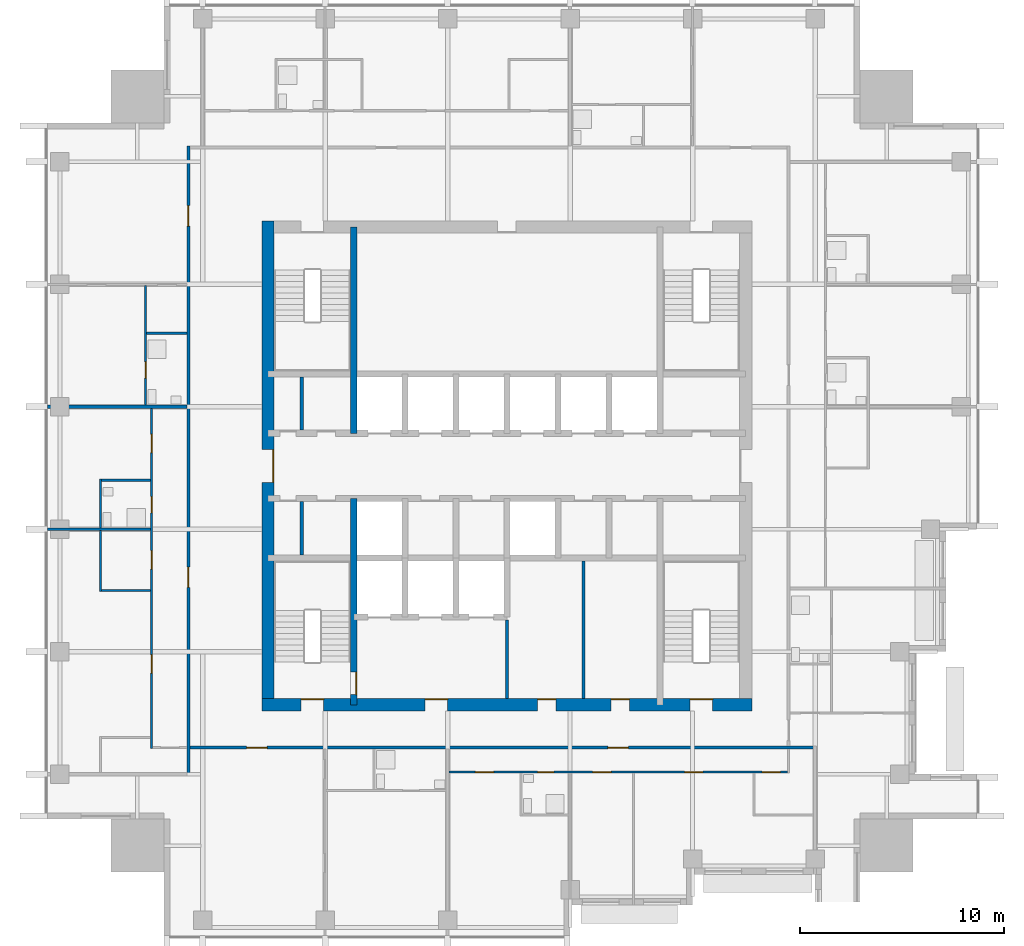
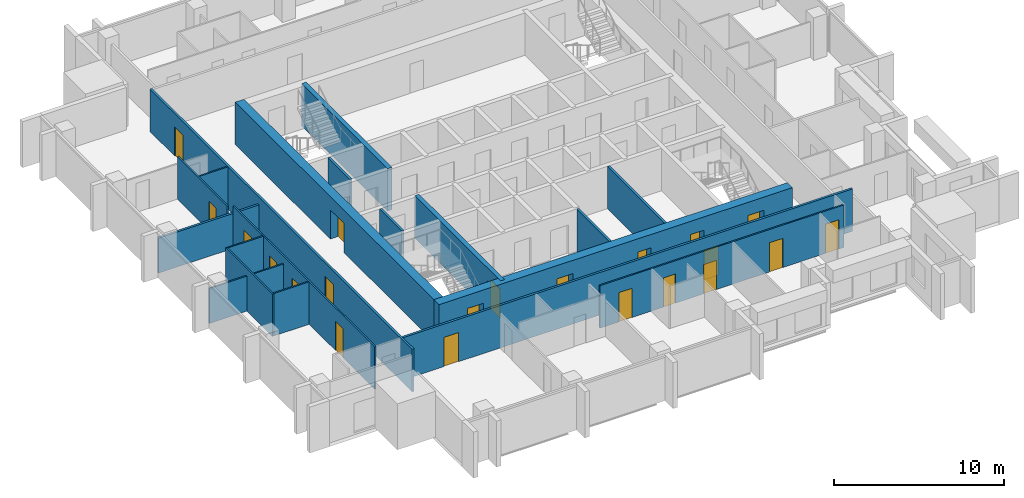
# One storey, part 4 of 10: 21 doors, 19 walls, 21 openings.
"""IFC4 building model written with IfcOpenShell, lengths in metres."""

from ifc_helpers import new_model, si_unit, direction, frame, frame_2d, origin, place, context, subcontext, project, spatial, rectangle, extrude, material, layer, layer_set, type_object, element, fill, save


model = new_model("IFC4")

# Units and contexts
model_context = context("Model", 3, precision=1e-05, world=origin(), true_north=direction((0.0, 1.0)))
body_context = subcontext(model_context, "Body", "Model", "MODEL_VIEW")
ifc_project = project(units=[si_unit("LENGTHUNIT", "METRE"), si_unit("AREAUNIT", "SQUARE_METRE"), si_unit("VOLUMEUNIT", "CUBIC_METRE"), si_unit("PLANEANGLEUNIT", "RADIAN"), si_unit("MASSUNIT", "GRAM", prefix="KILO")], contexts=[model_context])

# Site, building, storey
site_placement = place(None, origin())
site = spatial("IfcSite", under=ifc_project, at=site_placement, CompositionType="ELEMENT")
building_placement = place(site_placement, origin())
building = spatial("IfcBuilding", under=site, at=building_placement, Name="Amberfall Residences", CompositionType="ELEMENT")
storey_placement = place(building_placement, frame((0.0, 0.0, 193.60009765625)))
storey = spatial("IfcBuildingStorey", under=building, at=storey_placement, Name="L51", CompositionType="ELEMENT", Elevation=193.60009765625)

# Wall, opening, door
ifc_material_1 = material(Name="Concrete C55", Category="concrete")
ifc_layer_1 = layer(ifc_material_1, 0.300048828125)
ifc_layer_set_1 = layer_set([ifc_layer_1], Name="Core wall 300 C55")
wall_type_1 = type_object("IfcWallType", Name="Core wall 300 C55", PredefinedType="SHEAR", material=ifc_layer_set_1)
wall_1_placement = place(storey_placement, frame((67.0, 33.800048828125, 0.0), z_axis=(0.0, 0.0, 1.0), x_axis=(0.0, 1.0, 0.0)))
wall_1 = element("IfcWall", 1, at=wall_1_placement, inside=storey, type_object=wall_type_1, Name="Core wall RW8 L51 V45S", PredefinedType="SHEAR", context=body_context, shape_type="SweptSolid", body=[
    extrude(rectangle(XDim=10.099853515625, YDim=0.300048828125, at=frame_2d((5.0498046875, 0.0))), origin(), (0.0, 0.0, 1.0), 3.0498046875),
])
opening_1_placement = place(wall_1_placement, frame((0.5, 0.0, 0.0)))
opening_1 = element("IfcOpeningElement", 2, at=opening_1_placement, cuts=wall_1, Name="Opening FL1", PredefinedType="OPENING", context=body_context, shape_type="SweptSolid", body=[
    extrude(rectangle(XDim=1.10009765625, YDim=2.10009765625, at=frame_2d((0.550048828125, 1.050048828125))), frame((0.0, 0.159912109375, 0.0), z_axis=(0.0, -1.0, 0.0), x_axis=(1.0, 0.0, 0.0)), (0.0, 0.0, 1.0), 0.320068359375),
])
ifc_material_2 = material(Name="Steel fire door set", Category="steel")
door_type_1 = type_object("IfcDoorType", Name="Firefighting lobby door 1100 x 2100", OperationType="SINGLE_SWING_LEFT", PredefinedType="DOOR", material=ifc_material_2)
door_1_placement = place(opening_1_placement, origin())
door_1 = element("IfcDoor", 3, at=door_1_placement, inside=storey, type_object=door_type_1, Name="FL1 L51", OperationType="SINGLE_SWING_RIGHT", OverallHeight=2.10009765625, OverallWidth=1.10009765625, PredefinedType="DOOR", context=body_context, shape_type="SweptSolid", body=[
    extrude(rectangle(XDim=1.10009765625, YDim=2.10009765625, at=frame_2d((0.550048828125, 1.050048828125))), frame((0.0, -0.08740234375, 0.0), z_axis=(0.0, -1.0, 0.0), x_axis=(1.0, 0.0, 0.0)), (0.0, 0.0, 1.0), 0.050048828125),
])
fill(opening_1, door_1)

# Wall
wall_2_placement = place(storey_placement, frame((67.0, 47.10009765625, 0.0), z_axis=(0.0, 0.0, 1.0), x_axis=(0.0, 1.0, 0.0)))
element("IfcWall", 4, at=wall_2_placement, inside=storey, type_object=wall_type_1, Name="Core wall RW8 L51 V45N", PredefinedType="SHEAR", context=body_context, shape_type="SweptSolid", body=[
    extrude(rectangle(XDim=10.099853515625, YDim=0.300048828125, at=frame_2d((5.0498046875, 0.0))), origin(), (0.0, 0.0, 1.0), 3.0498046875),
])

# Wall, openings, doors
ifc_layer_2 = layer(ifc_material_1, 0.60009765625)
ifc_layer_set_2 = layer_set([ifc_layer_2], Name="Core wall 600 C55")
wall_type_2 = type_object("IfcWallType", Name="Core wall 600 C55", PredefinedType="SHEAR", material=ifc_layer_set_2)
wall_3_placement = place(storey_placement, frame((62.5, 33.800048828125, 0.0), z_axis=(0.0, 0.0, 1.0), x_axis=(1.0, 0.0, 0.0)))
wall_3 = element("IfcWall", 5, at=wall_3_placement, inside=storey, type_object=wall_type_2, Name="Core wall RW7 L51 OS", PredefinedType="SHEAR", context=body_context, shape_type="SweptSolid", body=[
    extrude(rectangle(XDim=24.0, YDim=0.60009765625, at=frame_2d((12.0, 0.0))), origin(), (0.0, 0.0, 1.0), 3.0498046875),
])
opening_2_placement = place(wall_3_placement, frame((1.925048828125, 0.0, 0.0)))
opening_2 = element("IfcOpeningElement", 6, at=opening_2_placement, cuts=wall_3, Name="Opening SD1", PredefinedType="OPENING", context=body_context, shape_type="SweptSolid", body=[
    extrude(rectangle(XDim=1.10009765625, YDim=2.10009765625, at=frame_2d((0.550048828125, 1.050048828125))), frame((0.0, 0.31005859375, 0.0), z_axis=(0.0, -1.0, 0.0), x_axis=(1.0, 0.0, 0.0)), (0.0, 0.0, 1.0), 0.6201171875),
])
opening_3_placement = place(wall_3_placement, frame((20.97509765625, 0.0, 0.0)))
opening_3 = element("IfcOpeningElement", 7, at=opening_3_placement, cuts=wall_3, Name="Opening SD1", PredefinedType="OPENING", context=body_context, shape_type="SweptSolid", body=[
    extrude(rectangle(XDim=1.10009765625, YDim=2.10009765625, at=frame_2d((0.550048828125, 1.050048828125))), frame((0.0, 0.31005859375, 0.0), z_axis=(0.0, -1.0, 0.0), x_axis=(1.0, 0.0, 0.0)), (0.0, 0.0, 1.0), 0.6201171875),
])
opening_4_placement = place(wall_3_placement, frame((8.0, 0.0, 0.0)))
opening_4 = element("IfcOpeningElement", 8, at=opening_4_placement, cuts=wall_3, Name="Opening FL1", PredefinedType="OPENING", context=body_context, shape_type="SweptSolid", body=[
    extrude(rectangle(XDim=1.10009765625, YDim=2.10009765625, at=frame_2d((0.550048828125, 1.050048828125))), frame((0.0, 0.31005859375, 0.0), z_axis=(0.0, -1.0, 0.0), x_axis=(1.0, 0.0, 0.0)), (0.0, 0.0, 1.0), 0.6201171875),
])
opening_5_placement = place(wall_3_placement, frame((13.5, 0.0, 0.0)))
opening_5 = element("IfcOpeningElement", 9, at=opening_5_placement, cuts=wall_3, Name="Opening RD1", PredefinedType="OPENING", context=body_context, shape_type="SweptSolid", body=[
    extrude(rectangle(XDim=0.89990234375, YDim=2.10009765625, at=frame_2d((0.449951171875, 1.050048828125))), frame((0.0, 0.31005859375, 0.0), z_axis=(0.0, -1.0, 0.0), x_axis=(1.0, 0.0, 0.0)), (0.0, 0.0, 1.0), 0.6201171875),
])
opening_6_placement = place(wall_3_placement, frame((17.10009765625, 0.0, 0.0)))
opening_6 = element("IfcOpeningElement", 10, at=opening_6_placement, cuts=wall_3, Name="Opening RD1", PredefinedType="OPENING", context=body_context, shape_type="SweptSolid", body=[
    extrude(rectangle(XDim=0.89990234375, YDim=2.10009765625, at=frame_2d((0.449951171875, 1.050048828125))), frame((0.0, 0.31005859375, 0.0), z_axis=(0.0, -1.0, 0.0), x_axis=(1.0, 0.0, 0.0)), (0.0, 0.0, 1.0), 0.6201171875),
])
door_2_placement = place(opening_4_placement, origin())
door_2 = element("IfcDoor", 11, at=door_2_placement, inside=storey, type_object=door_type_1, Name="FL1 L51", OperationType="SINGLE_SWING_LEFT", OverallHeight=2.10009765625, OverallWidth=1.10009765625, PredefinedType="DOOR", context=body_context, shape_type="SweptSolid", body=[
    extrude(rectangle(XDim=1.10009765625, YDim=2.10009765625, at=frame_2d((0.550048828125, 1.050048828125))), frame((0.0, 0.28759765625, 0.0), z_axis=(0.0, -1.0, 0.0), x_axis=(1.0, 0.0, 0.0)), (0.0, 0.0, 1.0), 0.050048828125),
])
fill(opening_4, door_2)
door_type_2 = type_object("IfcDoorType", Name="Service room door 900 x 2100", OperationType="SINGLE_SWING_LEFT", PredefinedType="DOOR", material=ifc_material_2)
door_3_placement = place(opening_5_placement, origin())
door_3 = element("IfcDoor", 12, at=door_3_placement, inside=storey, type_object=door_type_2, Name="RD1 L51", OperationType="SINGLE_SWING_LEFT", OverallHeight=2.10009765625, OverallWidth=0.89990234375, PredefinedType="DOOR", context=body_context, shape_type="SweptSolid", body=[
    extrude(rectangle(XDim=0.89990234375, YDim=2.10009765625, at=frame_2d((0.449951171875, 1.050048828125))), frame((0.0, 0.28759765625, 0.0), z_axis=(0.0, -1.0, 0.0), x_axis=(1.0, 0.0, 0.0)), (0.0, 0.0, 1.0), 0.050048828125),
])
fill(opening_5, door_3)
door_4_placement = place(opening_6_placement, origin())
door_4 = element("IfcDoor", 13, at=door_4_placement, inside=storey, type_object=door_type_2, Name="RD1 L51", OperationType="SINGLE_SWING_LEFT", OverallHeight=2.10009765625, OverallWidth=0.89990234375, PredefinedType="DOOR", context=body_context, shape_type="SweptSolid", body=[
    extrude(rectangle(XDim=0.89990234375, YDim=2.10009765625, at=frame_2d((0.449951171875, 1.050048828125))), frame((0.0, 0.28759765625, 0.0), z_axis=(0.0, -1.0, 0.0), x_axis=(1.0, 0.0, 0.0)), (0.0, 0.0, 1.0), 0.050048828125),
])
fill(opening_6, door_4)
door_type_3 = type_object("IfcDoorType", Name="Stair door 1100 x 2100", OperationType="SINGLE_SWING_LEFT", PredefinedType="DOOR", material=ifc_material_2)
door_5_placement = place(opening_2_placement, origin())
door_5 = element("IfcDoor", 14, at=door_5_placement, inside=storey, type_object=door_type_3, Name="SD1 L51", OperationType="SINGLE_SWING_LEFT", OverallHeight=2.10009765625, OverallWidth=1.10009765625, PredefinedType="DOOR", context=body_context, shape_type="SweptSolid", body=[
    extrude(rectangle(XDim=1.10009765625, YDim=2.10009765625, at=frame_2d((0.550048828125, 1.050048828125))), frame((0.0, 0.28759765625, 0.0), z_axis=(0.0, -1.0, 0.0), x_axis=(1.0, 0.0, 0.0)), (0.0, 0.0, 1.0), 0.050048828125),
])
fill(opening_2, door_5)
door_6_placement = place(opening_3_placement, origin())
door_6 = element("IfcDoor", 15, at=door_6_placement, inside=storey, type_object=door_type_3, Name="SD1 L51", OperationType="SINGLE_SWING_RIGHT", OverallHeight=2.10009765625, OverallWidth=1.10009765625, PredefinedType="DOOR", context=body_context, shape_type="SweptSolid", body=[
    extrude(rectangle(XDim=1.10009765625, YDim=2.10009765625, at=frame_2d((0.550048828125, 1.050048828125))), frame((0.0, 0.28759765625, 0.0), z_axis=(0.0, -1.0, 0.0), x_axis=(1.0, 0.0, 0.0)), (0.0, 0.0, 1.0), 0.050048828125),
])
fill(opening_3, door_6)

# Wall, opening, door
wall_4_placement = place(storey_placement, frame((62.800048828125, 33.5, 0.0), z_axis=(0.0, 0.0, 1.0), x_axis=(0.0, 1.0, 0.0)))
wall_4 = element("IfcWall", 16, at=wall_4_placement, inside=storey, type_object=wall_type_2, Name="Core wall RW7 L51 OW", PredefinedType="SHEAR", context=body_context, shape_type="SweptSolid", body=[
    extrude(rectangle(XDim=24.0, YDim=0.60009765625, at=frame_2d((12.0, 0.0))), origin(), (0.0, 0.0, 1.0), 3.0498046875),
])
opening_7_placement = place(wall_4_placement, frame((11.199951171875, 0.0, 0.0)))
opening_7 = element("IfcOpeningElement", 17, at=opening_7_placement, cuts=wall_4, Name="Opening LB1", PredefinedType="OPENING", context=body_context, shape_type="SweptSolid", body=[
    extrude(rectangle(XDim=1.60009765625, YDim=2.10009765625, at=frame_2d((0.800048828125, 1.050048828125))), frame((0.0, 0.31005859375, 0.0), z_axis=(0.0, -1.0, 0.0), x_axis=(1.0, 0.0, 0.0)), (0.0, 0.0, 1.0), 0.6201171875),
])
door_type_4 = type_object("IfcDoorType", Name="Lift lobby double door 1600 x 2100", OperationType="DOUBLE_DOOR_SINGLE_SWING", PredefinedType="DOOR", material=ifc_material_2)
door_7_placement = place(opening_7_placement, origin())
door_7 = element("IfcDoor", 18, at=door_7_placement, inside=storey, type_object=door_type_4, Name="LB1 L51", OperationType="DOUBLE_DOOR_SINGLE_SWING", OverallHeight=2.10009765625, OverallWidth=1.60009765625, PredefinedType="DOOR", context=body_context, shape_type="SweptSolid", body=[
    extrude(rectangle(XDim=1.60009765625, YDim=2.10009765625, at=frame_2d((0.800048828125, 1.050048828125))), frame((0.0, -0.2373046875, 0.0), z_axis=(0.0, -1.0, 0.0), x_axis=(1.0, 0.0, 0.0)), (0.0, 0.0, 1.0), 0.050048828125),
])
fill(opening_7, door_7)

# Wall
ifc_material_3 = material(Name="Gypsum board on metal stud")
ifc_layer_3 = layer(ifc_material_3, 0.10009765625)
ifc_layer_set_3 = layer_set([ifc_layer_3], Name="Flat partition 100")
wall_type_3 = type_object("IfcWallType", Name="Flat partition 100", PredefinedType="PARTITIONING", material=ifc_layer_set_3)
wall_5_placement = place(storey_placement, frame((54.60009765625, 39.35009765625, 0.0), z_axis=(0.0, 0.0, 1.0), x_axis=(0.0, 1.0, 0.0)))
element("IfcWall", 19, at=wall_5_placement, inside=storey, type_object=wall_type_3, Name="Partition 002", PredefinedType="PARTITIONING", context=body_context, shape_type="SweptSolid", body=[
    extrude(rectangle(XDim=5.5, YDim=0.10009765625, at=frame_2d((2.75, 0.0))), origin(), (0.0, 0.0, 1.0), 3.0498046875),
])

# Wall, opening, door
wall_6_placement = place(storey_placement, frame((56.800048828125, 54.35009765625, 0.0), z_axis=(0.0, 0.0, 1.0), x_axis=(0.0, -1.0, 0.0)))
wall_6 = element("IfcWall", 20, at=wall_6_placement, inside=storey, type_object=wall_type_3, Name="Partition 003", PredefinedType="PARTITIONING", context=body_context, shape_type="SweptSolid", body=[
    extrude(rectangle(XDim=5.875, YDim=0.10009765625, at=frame_2d((2.9375, 0.0))), origin(), (0.0, 0.0, 1.0), 3.0498046875),
])
opening_8_placement = place(wall_6_placement, frame((3.75, 0.0, 0.0)))
opening_8 = element("IfcOpeningElement", 21, at=opening_8_placement, cuts=wall_6, Name="Opening D42", PredefinedType="OPENING", context=body_context, shape_type="SweptSolid", body=[
    extrude(rectangle(XDim=0.800048828125, YDim=2.10009765625, at=frame_2d((0.39990234375, 1.050048828125))), frame((0.0, 0.06005859375, 0.0), z_axis=(0.0, -1.0, 0.0), x_axis=(1.0, 0.0, 0.0)), (0.0, 0.0, 1.0), 0.1201171875),
])
ifc_material_4 = material(Name="Timber", Category="wood")
door_type_5 = type_object("IfcDoorType", Name="Bathroom door 800 x 2100", OperationType="SINGLE_SWING_LEFT", PredefinedType="DOOR", material=ifc_material_4)
door_8_placement = place(opening_8_placement, origin())
door_8 = element("IfcDoor", 22, at=door_8_placement, inside=storey, type_object=door_type_5, Name="Door 5108 bath1", OperationType="SINGLE_SWING_LEFT", OverallHeight=2.10009765625, OverallWidth=0.800048828125, PredefinedType="DOOR", context=body_context, shape_type="SweptSolid", body=[
    extrude(rectangle(XDim=0.800048828125, YDim=2.10009765625, at=frame_2d((0.39990234375, 1.050048828125))), frame((0.0, 0.02490234375, 0.0), z_axis=(0.0, -1.0, 0.0), x_axis=(1.0, 0.0, 0.0)), (0.0, 0.0, 1.0), 0.050048828125),
])
fill(opening_8, door_8)

# Wall, openings, doors
wall_7_placement = place(storey_placement, frame((57.10009765625, 31.64990234375, 0.0), z_axis=(0.0, 0.0, 1.0), x_axis=(0.0, 1.0, 0.0)))
wall_7 = element("IfcWall", 23, at=wall_7_placement, inside=storey, type_object=wall_type_3, Name="Partition 004", PredefinedType="PARTITIONING", context=body_context, shape_type="SweptSolid", body=[
    extrude(rectangle(XDim=16.675048828125, YDim=0.10009765625, at=frame_2d((8.33740234375, 0.0))), origin(), (0.0, 0.0, 1.0), 3.0498046875),
])
opening_9_placement = place(wall_7_placement, frame((3.699951171875, 0.0, 0.0)))
opening_9 = element("IfcOpeningElement", 24, at=opening_9_placement, cuts=wall_7, Name="Opening D41", PredefinedType="OPENING", context=body_context, shape_type="SweptSolid", body=[
    extrude(rectangle(XDim=0.89990234375, YDim=2.10009765625, at=frame_2d((0.449951171875, 1.050048828125))), frame((0.0, 0.06005859375, 0.0), z_axis=(0.0, -1.0, 0.0), x_axis=(1.0, 0.0, 0.0)), (0.0, 0.0, 1.0), 0.1201171875),
])
opening_10_placement = place(wall_7_placement, frame((8.800048828125, 0.0, 0.0)))
opening_10 = element("IfcOpeningElement", 25, at=opening_10_placement, cuts=wall_7, Name="Opening D41", PredefinedType="OPENING", context=body_context, shape_type="SweptSolid", body=[
    extrude(rectangle(XDim=0.89990234375, YDim=2.10009765625, at=frame_2d((0.449951171875, 1.050048828125))), frame((0.0, 0.06005859375, 0.0), z_axis=(0.0, -1.0, 0.0), x_axis=(1.0, 0.0, 0.0)), (0.0, 0.0, 1.0), 0.1201171875),
])
opening_11_placement = place(wall_7_placement, frame((14.5, 0.0, 0.0)))
opening_11 = element("IfcOpeningElement", 26, at=opening_11_placement, cuts=wall_7, Name="Opening D41", PredefinedType="OPENING", context=body_context, shape_type="SweptSolid", body=[
    extrude(rectangle(XDim=0.89990234375, YDim=2.10009765625, at=frame_2d((0.449951171875, 1.050048828125))), frame((0.0, 0.06005859375, 0.0), z_axis=(0.0, -1.0, 0.0), x_axis=(1.0, 0.0, 0.0)), (0.0, 0.0, 1.0), 0.1201171875),
])
opening_12_placement = place(wall_7_placement, frame((11.550048828125, 0.0, 0.0)))
opening_12 = element("IfcOpeningElement", 27, at=opening_12_placement, cuts=wall_7, Name="Opening D42", PredefinedType="OPENING", context=body_context, shape_type="SweptSolid", body=[
    extrude(rectangle(XDim=0.800048828125, YDim=2.10009765625, at=frame_2d((0.39990234375, 1.050048828125))), frame((0.0, 0.06005859375, 0.0), z_axis=(0.0, -1.0, 0.0), x_axis=(1.0, 0.0, 0.0)), (0.0, 0.0, 1.0), 0.1201171875),
])
door_9_placement = place(opening_12_placement, origin())
door_9 = element("IfcDoor", 28, at=door_9_placement, inside=storey, type_object=door_type_5, Name="Door 5107 bath1", OperationType="SINGLE_SWING_LEFT", OverallHeight=2.10009765625, OverallWidth=0.800048828125, PredefinedType="DOOR", context=body_context, shape_type="SweptSolid", body=[
    extrude(rectangle(XDim=0.800048828125, YDim=2.10009765625, at=frame_2d((0.39990234375, 1.050048828125))), frame((0.0, 0.02490234375, 0.0), z_axis=(0.0, -1.0, 0.0), x_axis=(1.0, 0.0, 0.0)), (0.0, 0.0, 1.0), 0.050048828125),
])
fill(opening_12, door_9)
door_type_6 = type_object("IfcDoorType", Name="Internal door 900 x 2100", OperationType="SINGLE_SWING_LEFT", PredefinedType="DOOR", material=ifc_material_4)
door_10_placement = place(opening_9_placement, origin())
door_10 = element("IfcDoor", 29, at=door_10_placement, inside=storey, type_object=door_type_6, Name="Door 5107 living", OperationType="SINGLE_SWING_LEFT", OverallHeight=2.10009765625, OverallWidth=0.89990234375, PredefinedType="DOOR", context=body_context, shape_type="SweptSolid", body=[
    extrude(rectangle(XDim=0.89990234375, YDim=2.10009765625, at=frame_2d((0.449951171875, 1.050048828125))), frame((0.0, 0.02490234375, 0.0), z_axis=(0.0, -1.0, 0.0), x_axis=(1.0, 0.0, 0.0)), (0.0, 0.0, 1.0), 0.050048828125),
])
fill(opening_9, door_10)
door_11_placement = place(opening_10_placement, origin())
door_11 = element("IfcDoor", 30, at=door_11_placement, inside=storey, type_object=door_type_6, Name="Door 5107 kitchen", OperationType="SINGLE_SWING_LEFT", OverallHeight=2.10009765625, OverallWidth=0.89990234375, PredefinedType="DOOR", context=body_context, shape_type="SweptSolid", body=[
    extrude(rectangle(XDim=0.89990234375, YDim=2.10009765625, at=frame_2d((0.449951171875, 1.050048828125))), frame((0.0, 0.02490234375, 0.0), z_axis=(0.0, -1.0, 0.0), x_axis=(1.0, 0.0, 0.0)), (0.0, 0.0, 1.0), 0.050048828125),
])
fill(opening_10, door_11)
door_12_placement = place(opening_11_placement, origin())
door_12 = element("IfcDoor", 31, at=door_12_placement, inside=storey, type_object=door_type_6, Name="Door 5107 bedroom1", OperationType="SINGLE_SWING_LEFT", OverallHeight=2.10009765625, OverallWidth=0.89990234375, PredefinedType="DOOR", context=body_context, shape_type="SweptSolid", body=[
    extrude(rectangle(XDim=0.89990234375, YDim=2.10009765625, at=frame_2d((0.449951171875, 1.050048828125))), frame((0.0, 0.02490234375, 0.0), z_axis=(0.0, -1.0, 0.0), x_axis=(1.0, 0.0, 0.0)), (0.0, 0.0, 1.0), 0.050048828125),
])
fill(opening_11, door_12)

# Walls
wall_8_placement = place(storey_placement, frame((56.85009765625, 52.0, 0.0), z_axis=(0.0, 0.0, 1.0), x_axis=(1.0, 0.0, 0.0)))
element("IfcWall", 32, at=wall_8_placement, inside=storey, type_object=wall_type_3, Name="Partition 029", PredefinedType="PARTITIONING", context=body_context, shape_type="SweptSolid", body=[
    extrude(rectangle(XDim=1.974853515625, YDim=0.10009765625, at=frame_2d((0.9873046875, 0.0))), origin(), (0.0, 0.0, 1.0), 3.0498046875),
])
wall_9_placement = place(storey_placement, frame((54.64990234375, 44.800048828125, 0.0), z_axis=(0.0, 0.0, 1.0), x_axis=(1.0, 0.0, 0.0)))
element("IfcWall", 33, at=wall_9_placement, inside=storey, type_object=wall_type_3, Name="Partition 033", PredefinedType="PARTITIONING", context=body_context, shape_type="SweptSolid", body=[
    extrude(rectangle(XDim=2.400146484375, YDim=0.10009765625, at=frame_2d((1.2001953125, 0.0))), origin(), (0.0, 0.0, 1.0), 3.0498046875),
])
wall_10_placement = place(storey_placement, frame((52.0, 42.39990234375, 0.0), z_axis=(0.0, 0.0, 1.0), x_axis=(1.0, 0.0, 0.0)))
element("IfcWall", 34, at=wall_10_placement, inside=storey, type_object=wall_type_3, Name="Partition 034", PredefinedType="PARTITIONING", context=body_context, shape_type="SweptSolid", body=[
    extrude(rectangle(XDim=5.050048828125, YDim=0.10009765625, at=frame_2d((2.52490234375, 0.0))), origin(), (0.0, 0.0, 1.0), 2.515869140625),
])
wall_11_placement = place(storey_placement, frame((54.64990234375, 39.39990234375, 0.0), z_axis=(0.0, 0.0, 1.0), x_axis=(1.0, 0.0, 0.0)))
element("IfcWall", 35, at=wall_11_placement, inside=storey, type_object=wall_type_3, Name="Partition 035", PredefinedType="PARTITIONING", context=body_context, shape_type="SweptSolid", body=[
    extrude(rectangle(XDim=2.400146484375, YDim=0.10009765625, at=frame_2d((1.2001953125, 0.0))), origin(), (0.0, 0.0, 1.0), 3.0498046875),
])

# Wall, openings, doors
wall_12_placement = place(storey_placement, frame((88.25, 30.5, 0.0), z_axis=(0.0, 0.0, 1.0), x_axis=(-1.0, 0.0, 0.0)))
wall_12 = element("IfcWall", 36, at=wall_12_placement, inside=storey, type_object=wall_type_3, Name="Partition 040", PredefinedType="PARTITIONING", context=body_context, shape_type="SweptSolid", body=[
    extrude(rectangle(XDim=16.574951171875, YDim=0.10009765625, at=frame_2d((8.28759765625, 0.0))), origin(), (0.0, 0.0, 1.0), 3.0498046875),
])
opening_13_placement = place(wall_12_placement, frame((4.14990234375, 0.0, 0.0)))
opening_13 = element("IfcOpeningElement", 37, at=opening_13_placement, cuts=wall_12, Name="Opening D41", PredefinedType="OPENING", context=body_context, shape_type="SweptSolid", body=[
    extrude(rectangle(XDim=0.89990234375, YDim=2.10009765625, at=frame_2d((0.449951171875, 1.050048828125))), frame((0.0, 0.06005859375, 0.0), z_axis=(0.0, -1.0, 0.0), x_axis=(1.0, 0.0, 0.0)), (0.0, 0.0, 1.0), 0.1201171875),
])
opening_14_placement = place(wall_12_placement, frame((0.35009765625, 0.0, 0.0)))
opening_14 = element("IfcOpeningElement", 38, at=opening_14_placement, cuts=wall_12, Name="Opening D41", PredefinedType="OPENING", context=body_context, shape_type="SweptSolid", body=[
    extrude(rectangle(XDim=0.89990234375, YDim=2.10009765625, at=frame_2d((0.449951171875, 1.050048828125))), frame((0.0, 0.06005859375, 0.0), z_axis=(0.0, -1.0, 0.0), x_axis=(1.0, 0.0, 0.0)), (0.0, 0.0, 1.0), 0.1201171875),
])
opening_15_placement = place(wall_12_placement, frame((14.39990234375, 0.0, 0.0)))
opening_15 = element("IfcOpeningElement", 39, at=opening_15_placement, cuts=wall_12, Name="Opening D41", PredefinedType="OPENING", context=body_context, shape_type="SweptSolid", body=[
    extrude(rectangle(XDim=0.89990234375, YDim=2.10009765625, at=frame_2d((0.449951171875, 1.050048828125))), frame((0.0, 0.06005859375, 0.0), z_axis=(0.0, -1.0, 0.0), x_axis=(1.0, 0.0, 0.0)), (0.0, 0.0, 1.0), 0.1201171875),
])
opening_16_placement = place(wall_12_placement, frame((8.64990234375, 0.0, 0.0)))
opening_16 = element("IfcOpeningElement", 40, at=opening_16_placement, cuts=wall_12, Name="Opening D41", PredefinedType="OPENING", context=body_context, shape_type="SweptSolid", body=[
    extrude(rectangle(XDim=0.89990234375, YDim=2.10009765625, at=frame_2d((0.449951171875, 1.050048828125))), frame((0.0, 0.06005859375, 0.0), z_axis=(0.0, -1.0, 0.0), x_axis=(1.0, 0.0, 0.0)), (0.0, 0.0, 1.0), 0.1201171875),
])
opening_17_placement = place(wall_12_placement, frame((11.449951171875, 0.0, 0.0)))
opening_17 = element("IfcOpeningElement", 41, at=opening_17_placement, cuts=wall_12, Name="Opening D42", PredefinedType="OPENING", context=body_context, shape_type="SweptSolid", body=[
    extrude(rectangle(XDim=0.800048828125, YDim=2.10009765625, at=frame_2d((0.39990234375, 1.050048828125))), frame((0.0, 0.06005859375, 0.0), z_axis=(0.0, -1.0, 0.0), x_axis=(1.0, 0.0, 0.0)), (0.0, 0.0, 1.0), 0.1201171875),
])
door_13_placement = place(opening_17_placement, origin())
door_13 = element("IfcDoor", 42, at=door_13_placement, inside=storey, type_object=door_type_5, Name="Door 5102 bath1", OperationType="SINGLE_SWING_LEFT", OverallHeight=2.10009765625, OverallWidth=0.800048828125, PredefinedType="DOOR", context=body_context, shape_type="SweptSolid", body=[
    extrude(rectangle(XDim=0.800048828125, YDim=2.10009765625, at=frame_2d((0.39990234375, 1.050048828125))), frame((0.0, 0.02490234375, 0.0), z_axis=(0.0, -1.0, 0.0), x_axis=(1.0, 0.0, 0.0)), (0.0, 0.0, 1.0), 0.050048828125),
])
fill(opening_17, door_13)
door_14_placement = place(opening_13_placement, origin())
door_14 = element("IfcDoor", 43, at=door_14_placement, inside=storey, type_object=door_type_6, Name="Door 5102 living", OperationType="SINGLE_SWING_LEFT", OverallHeight=2.10009765625, OverallWidth=0.89990234375, PredefinedType="DOOR", context=body_context, shape_type="SweptSolid", body=[
    extrude(rectangle(XDim=0.89990234375, YDim=2.10009765625, at=frame_2d((0.449951171875, 1.050048828125))), frame((0.0, 0.02490234375, 0.0), z_axis=(0.0, -1.0, 0.0), x_axis=(1.0, 0.0, 0.0)), (0.0, 0.0, 1.0), 0.050048828125),
])
fill(opening_13, door_14)
door_15_placement = place(opening_14_placement, origin())
door_15 = element("IfcDoor", 44, at=door_15_placement, inside=storey, type_object=door_type_6, Name="Door 5102 kitchen", OperationType="SINGLE_SWING_LEFT", OverallHeight=2.10009765625, OverallWidth=0.89990234375, PredefinedType="DOOR", context=body_context, shape_type="SweptSolid", body=[
    extrude(rectangle(XDim=0.89990234375, YDim=2.10009765625, at=frame_2d((0.449951171875, 1.050048828125))), frame((0.0, 0.02490234375, 0.0), z_axis=(0.0, -1.0, 0.0), x_axis=(1.0, 0.0, 0.0)), (0.0, 0.0, 1.0), 0.050048828125),
])
fill(opening_14, door_15)
door_16_placement = place(opening_15_placement, origin())
door_16 = element("IfcDoor", 45, at=door_16_placement, inside=storey, type_object=door_type_6, Name="Door 5102 bedroom1", OperationType="SINGLE_SWING_LEFT", OverallHeight=2.10009765625, OverallWidth=0.89990234375, PredefinedType="DOOR", context=body_context, shape_type="SweptSolid", body=[
    extrude(rectangle(XDim=0.89990234375, YDim=2.10009765625, at=frame_2d((0.449951171875, 1.050048828125))), frame((0.0, 0.02490234375, 0.0), z_axis=(0.0, -1.0, 0.0), x_axis=(1.0, 0.0, 0.0)), (0.0, 0.0, 1.0), 0.050048828125),
])
fill(opening_15, door_16)
door_17_placement = place(opening_16_placement, origin())
door_17 = element("IfcDoor", 46, at=door_17_placement, inside=storey, type_object=door_type_6, Name="Door 5102 bedroom2", OperationType="SINGLE_SWING_LEFT", OverallHeight=2.10009765625, OverallWidth=0.89990234375, PredefinedType="DOOR", context=body_context, shape_type="SweptSolid", body=[
    extrude(rectangle(XDim=0.89990234375, YDim=2.10009765625, at=frame_2d((0.449951171875, 1.050048828125))), frame((0.0, 0.02490234375, 0.0), z_axis=(0.0, -1.0, 0.0), x_axis=(1.0, 0.0, 0.0)), (0.0, 0.0, 1.0), 0.050048828125),
])
fill(opening_16, door_17)

ifc_material_5 = material(Name="Blockwork, plastered", Category="masonry")
ifc_layer_4 = layer(ifc_material_5, 0.14990234375)
ifc_layer_set_4 = layer_set([ifc_layer_4], Name="Flat separating wall 150")
wall_type_4 = type_object("IfcWallType", Name="Flat separating wall 150", PredefinedType="PARTITIONING", material=ifc_layer_set_4)
wall_13_placement = place(storey_placement, frame((58.89990234375, 30.324951171875, 0.0), z_axis=(0.0, 0.0, 1.0), x_axis=(0.0, 1.0, 0.0)))
wall_13 = element("IfcWall", 47, at=wall_13_placement, inside=storey, type_object=wall_type_4, Name="Separating wall 044", PredefinedType="PARTITIONING", context=body_context, shape_type="SweptSolid", body=[
    extrude(rectangle(XDim=30.85009765625, YDim=0.14990234375, at=frame_2d((15.425048828125, 0.0))), origin(), (0.0, 0.0, 1.0), 3.0498046875),
])
opening_18_placement = place(wall_13_placement, frame((9.22509765625, 0.0, 0.0)))
opening_18 = element("IfcOpeningElement", 48, at=opening_18_placement, cuts=wall_13, Name="Opening D40", PredefinedType="OPENING", context=body_context, shape_type="SweptSolid", body=[
    extrude(rectangle(XDim=1.0, YDim=2.10009765625, at=frame_2d((0.5, 1.050048828125))), frame((0.0, 0.0849609375, 0.0), z_axis=(0.0, -1.0, 0.0), x_axis=(1.0, 0.0, 0.0)), (0.0, 0.0, 1.0), 0.169921875),
])
opening_19_placement = place(wall_13_placement, frame((26.925048828125, 0.0, 0.0)))
opening_19 = element("IfcOpeningElement", 49, at=opening_19_placement, cuts=wall_13, Name="Opening D40", PredefinedType="OPENING", context=body_context, shape_type="SweptSolid", body=[
    extrude(rectangle(XDim=1.0, YDim=2.10009765625, at=frame_2d((0.5, 1.050048828125))), frame((0.0, 0.0849609375, 0.0), z_axis=(0.0, -1.0, 0.0), x_axis=(1.0, 0.0, 0.0)), (0.0, 0.0, 1.0), 0.169921875),
])
ifc_material_6 = material(Name="Timber, fire-rated", Category="wood")
door_type_7 = type_object("IfcDoorType", Name="Flat entrance door FD60 1000 x 2100", OperationType="SINGLE_SWING_LEFT", PredefinedType="DOOR", material=ifc_material_6)
door_18_placement = place(opening_18_placement, origin())
door_18 = element("IfcDoor", 50, at=door_18_placement, inside=storey, type_object=door_type_7, Name="Door 5107 entrance", OperationType="SINGLE_SWING_LEFT", OverallHeight=2.10009765625, OverallWidth=1.0, PredefinedType="DOOR", context=body_context, shape_type="SweptSolid", body=[
    extrude(rectangle(XDim=1.0, YDim=2.10009765625, at=frame_2d((0.5, 1.050048828125))), frame((0.0, 0.02490234375, 0.0), z_axis=(0.0, -1.0, 0.0), x_axis=(1.0, 0.0, 0.0)), (0.0, 0.0, 1.0), 0.050048828125),
])
fill(opening_18, door_18)
door_19_placement = place(opening_19_placement, origin())
door_19 = element("IfcDoor", 51, at=door_19_placement, inside=storey, type_object=door_type_7, Name="Door 5108 entrance", OperationType="SINGLE_SWING_LEFT", OverallHeight=2.10009765625, OverallWidth=1.0, PredefinedType="DOOR", context=body_context, shape_type="SweptSolid", body=[
    extrude(rectangle(XDim=1.0, YDim=2.10009765625, at=frame_2d((0.5, 1.050048828125))), frame((0.0, 0.02490234375, 0.0), z_axis=(0.0, -1.0, 0.0), x_axis=(1.0, 0.0, 0.0)), (0.0, 0.0, 1.0), 0.050048828125),
])
fill(opening_19, door_19)

# Wall
wall_14_placement = place(storey_placement, frame((52.0, 48.39990234375, 0.0), z_axis=(0.0, 0.0, 1.0), x_axis=(1.0, 0.0, 0.0)))
element("IfcWall", 52, at=wall_14_placement, inside=storey, type_object=wall_type_4, Name="Separating wall 052", PredefinedType="PARTITIONING", context=body_context, shape_type="SweptSolid", body=[
    extrude(rectangle(XDim=6.824951171875, YDim=0.14990234375, at=frame_2d((3.41259765625, 0.0))), origin(), (0.0, 0.0, 1.0), 2.515869140625),
])

# Wall, openings, doors
wall_15_placement = place(storey_placement, frame((89.52490234375, 31.699951171875, 0.0), z_axis=(0.0, 0.0, 1.0), x_axis=(-1.0, 0.0, 0.0)))
wall_15 = element("IfcWall", 53, at=wall_15_placement, inside=storey, type_object=wall_type_4, Name="Separating wall 054", PredefinedType="PARTITIONING", context=body_context, shape_type="SweptSolid", body=[
    extrude(rectangle(XDim=30.5498046875, YDim=0.14990234375, at=frame_2d((15.27490234375, 0.0))), origin(), (0.0, 0.0, 1.0), 3.0498046875),
])
opening_20_placement = place(wall_15_placement, frame((26.77490234375, 0.0, 0.0)))
opening_20 = element("IfcOpeningElement", 54, at=opening_20_placement, cuts=wall_15, Name="Opening D40", PredefinedType="OPENING", context=body_context, shape_type="SweptSolid", body=[
    extrude(rectangle(XDim=1.0, YDim=2.10009765625, at=frame_2d((0.5, 1.050048828125))), frame((0.0, 0.0849609375, 0.0), z_axis=(0.0, -1.0, 0.0), x_axis=(1.0, 0.0, 0.0)), (0.0, 0.0, 1.0), 0.169921875),
])
opening_21_placement = place(wall_15_placement, frame((9.074951171875, 0.0, 0.0)))
opening_21 = element("IfcOpeningElement", 55, at=opening_21_placement, cuts=wall_15, Name="Opening D40", PredefinedType="OPENING", context=body_context, shape_type="SweptSolid", body=[
    extrude(rectangle(XDim=1.0, YDim=2.10009765625, at=frame_2d((0.5, 1.050048828125))), frame((0.0, 0.0849609375, 0.0), z_axis=(0.0, -1.0, 0.0), x_axis=(1.0, 0.0, 0.0)), (0.0, 0.0, 1.0), 0.169921875),
])
door_20_placement = place(opening_20_placement, origin())
door_20 = element("IfcDoor", 56, at=door_20_placement, inside=storey, type_object=door_type_7, Name="Door 5101 entrance", OperationType="SINGLE_SWING_LEFT", OverallHeight=2.10009765625, OverallWidth=1.0, PredefinedType="DOOR", context=body_context, shape_type="SweptSolid", body=[
    extrude(rectangle(XDim=1.0, YDim=2.10009765625, at=frame_2d((0.5, 1.050048828125))), frame((0.0, 0.02490234375, 0.0), z_axis=(0.0, -1.0, 0.0), x_axis=(1.0, 0.0, 0.0)), (0.0, 0.0, 1.0), 0.050048828125),
])
fill(opening_20, door_20)
door_21_placement = place(opening_21_placement, origin())
door_21 = element("IfcDoor", 57, at=door_21_placement, inside=storey, type_object=door_type_7, Name="Door 5102 entrance", OperationType="SINGLE_SWING_LEFT", OverallHeight=2.10009765625, OverallWidth=1.0, PredefinedType="DOOR", context=body_context, shape_type="SweptSolid", body=[
    extrude(rectangle(XDim=1.0, YDim=2.10009765625, at=frame_2d((0.5, 1.050048828125))), frame((0.0, 0.02490234375, 0.0), z_axis=(0.0, -1.0, 0.0), x_axis=(1.0, 0.0, 0.0)), (0.0, 0.0, 1.0), 0.050048828125),
])
fill(opening_21, door_21)

# Walls
ifc_material_7 = material(Name="Concrete blockwork", Category="masonry")
ifc_layer_5 = layer(ifc_material_7, 0.14990234375)
ifc_layer_set_5 = layer_set([ifc_layer_5], Name="Riser wall 150")
wall_type_5 = type_object("IfcWallType", Name="Riser wall 150", PredefinedType="PLUMBINGWALL", material=ifc_layer_set_5)
wall_16_placement = place(storey_placement, frame((74.5, 34.10009765625, 0.0), z_axis=(0.0, 0.0, 1.0), x_axis=(0.0, 1.0, 0.0)))
element("IfcWall", 58, at=wall_16_placement, inside=storey, type_object=wall_type_5, Name="L51 core wall PX", PredefinedType="PLUMBINGWALL", context=body_context, shape_type="SweptSolid", body=[
    extrude(rectangle(XDim=3.849853515625, YDim=0.14990234375, at=frame_2d((1.9248046875, 0.0))), origin(), (0.0, 0.0, 1.0), 3.0498046875),
])
wall_17_placement = place(storey_placement, frame((78.25, 34.10009765625, 0.0), z_axis=(0.0, 0.0, 1.0), x_axis=(0.0, 1.0, 0.0)))
element("IfcWall", 59, at=wall_17_placement, inside=storey, type_object=wall_type_5, Name="L51 core wall E0", PredefinedType="PLUMBINGWALL", context=body_context, shape_type="SweptSolid", body=[
    extrude(rectangle(XDim=6.75, YDim=0.14990234375, at=frame_2d((3.375, 0.0))), origin(), (0.0, 0.0, 1.0), 3.0498046875),
])
for number, where, z_axis, x_axis, name in (
    (60, (64.449951171875, 41.14990234375, 0.0), (0.0, 0.0, 1.0), (0.0, 1.0, 0.0), "L51 core wall ASW0"),
    (61, (64.449951171875, 47.25, 0.0), (0.0, 0.0, 1.0), (0.0, 1.0, 0.0), "L51 core wall ANW0"),
):
    element("IfcWall", number, at=place(storey_placement, frame(where, z_axis=z_axis, x_axis=x_axis)), inside=storey, type_object=wall_type_5, Name=name, PredefinedType="PLUMBINGWALL", context=body_context, shape_type="SweptSolid", body=[
        extrude(rectangle(XDim=2.60009765625, YDim=0.14990234375, at=frame_2d((1.300048828125, 0.0))), origin(), (0.0, 0.0, 1.0), 3.0498046875),
    ])

save(model, "model.ifc")
